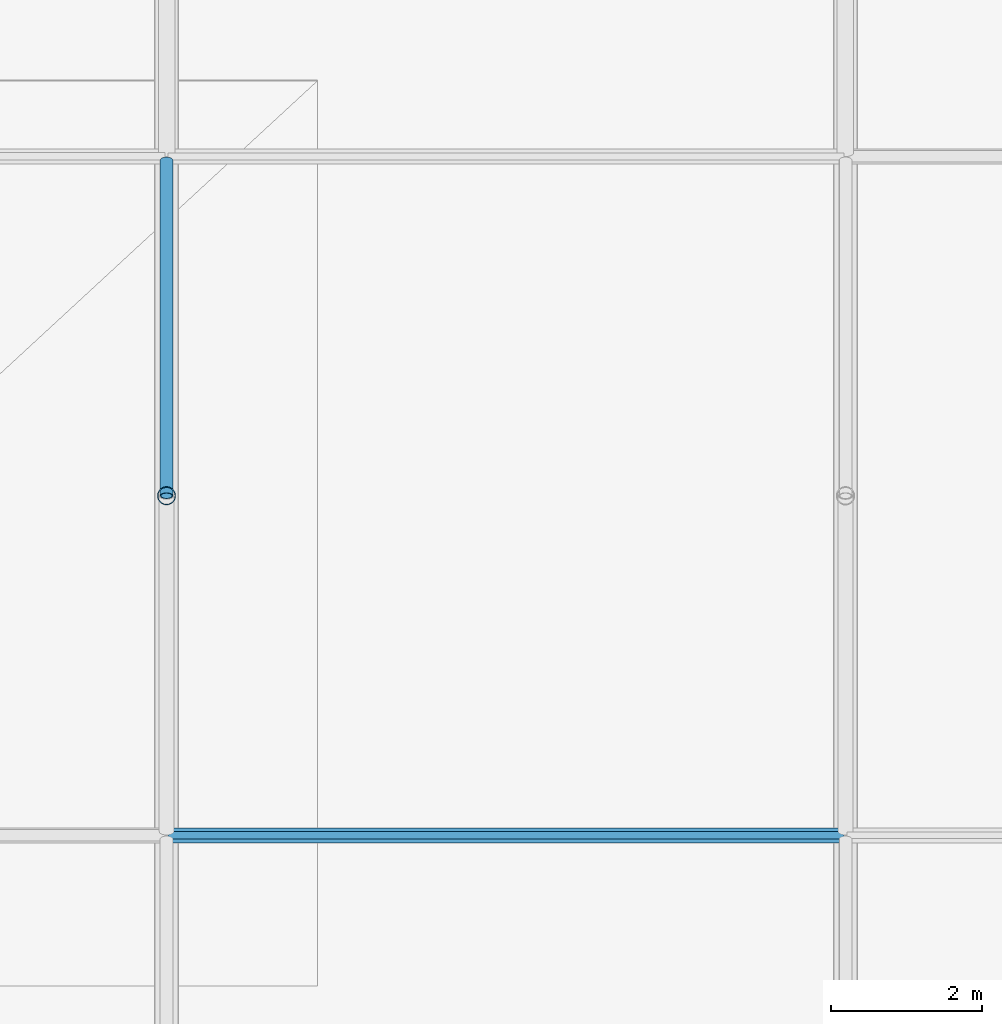
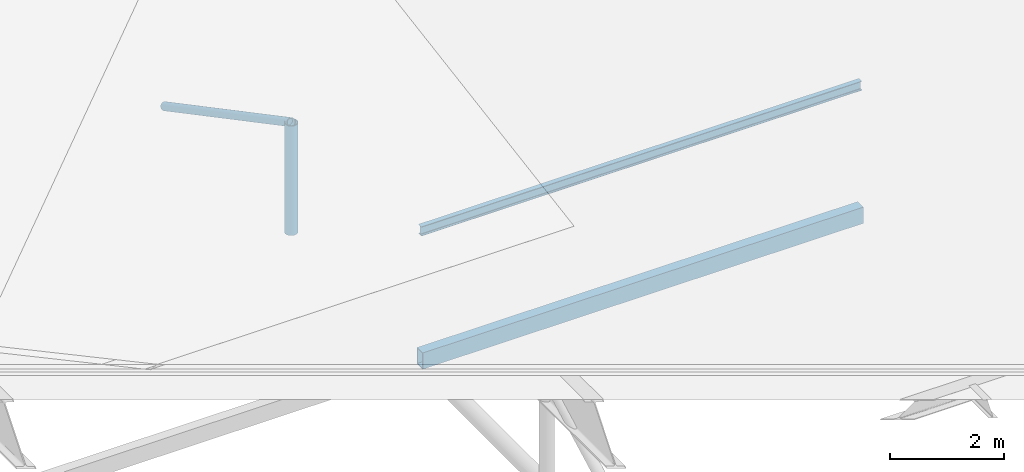
# One storey, part 48 of 196: 4 members.
"""IFC4 building model written with IfcOpenShell, lengths in metres."""

from ifc_helpers import new_model, si_unit, direction, frame, origin, origin_2d, place, context, subcontext, project, spatial, hollow_rectangle, hollow_circle, i_section, extrude, material, material_profile, profile_set, type_object, element, save


model = new_model("IFC4")

# Units and contexts
model_context = context("Model", 3, precision=1e-05, world=origin(), true_north=direction((0.0, 1.0)))
body_context = subcontext(model_context, "Body", "Model", "MODEL_VIEW")
ifc_project = project(units=[si_unit("LENGTHUNIT", "METRE"), si_unit("AREAUNIT", "SQUARE_METRE"), si_unit("VOLUMEUNIT", "CUBIC_METRE"), si_unit("PLANEANGLEUNIT", "RADIAN"), si_unit("MASSUNIT", "GRAM", prefix="KILO")], contexts=[model_context])

# Site, building, storey
site_placement = place(None, origin())
site = spatial("IfcSite", under=ifc_project, at=site_placement, CompositionType="ELEMENT")
building_placement = place(site_placement, origin())
building = spatial("IfcBuilding", under=site, at=building_placement, Name="Barlavento Convention Centre", CompositionType="ELEMENT")
storey_placement = place(building_placement, frame((0.0, 0.0, 18.0)))
storey = spatial("IfcBuildingStorey", under=building, at=storey_placement, Name="L03", CompositionType="ELEMENT", Elevation=18.0)

# Members
ifc_material = material(Name="Steel S355", Category="steel")
ifc_material_profile_1 = material_profile(ifc_material, hollow_rectangle(XDim=0.199951171875, YDim=0.35009765625, WallThickness=0.012451171875, at=origin_2d()), Name="RHS 350x200x12.5")
ifc_profile_set_1 = profile_set([ifc_material_profile_1], Name="Steel S355")
member_type_1 = type_object("IfcMemberType", Name="STR-MEM-COL-RHS350", PredefinedType="COLLAR", material=ifc_profile_set_1)
member_1_placement = place(storey_placement, frame((27.02001953125, 72.0, -3.199951171875), z_axis=(1.0, 0.0, 0.0), x_axis=(0.0, 1.0, 0.0)))
element("IfcMember", 1, at=member_1_placement, inside=storey, type_object=member_type_1, Name="Exhibition space frame transverse chord", PredefinedType="COLLAR", context=body_context, shape_type="SweptSolid", body=[
    extrude(hollow_rectangle(XDim=0.199951171875, YDim=0.35009765625, WallThickness=0.012451171875, at=origin_2d()), origin(), (0.0, 0.0, 1.0), 8.9599609375),
])
ifc_material_profile_2 = material_profile(ifc_material, hollow_circle(Radius=0.084228515625, WallThickness=0.010009765625, at=origin_2d()), Name="CHS 168.3x10.0")
ifc_profile_set_2 = profile_set([ifc_material_profile_2], Name="Steel S355")
member_type_2 = type_object("IfcMemberType", Name="STR-MEM-DIAG-CHS168", PredefinedType="POST", material=ifc_profile_set_2)
member_2_placement = place(storey_placement, frame((27.0, 76.5, -0.844970703125), z_axis=(0.0, 0.883859857229, -0.467751806816), x_axis=(-1.0, 0.0, 0.0)))
element("IfcMember", 2, at=member_2_placement, inside=storey, type_object=member_type_2, Name="Exhibition space frame web diagonal", PredefinedType="POST", context=body_context, shape_type="SweptSolid", body=[
    extrude(hollow_circle(Radius=0.084228515625, WallThickness=0.010009765625, at=origin_2d()), origin(), (0.0, 0.0, 1.0), 5.03466796875),
])
ifc_material_profile_3 = material_profile(ifc_material, i_section(OverallWidth=0.10009765625, OverallDepth=0.199951171875, WebThickness=0.005615234375, FlangeThickness=0.008544921875, FilletRadius=0.011962890625, at=origin_2d()), Name="IPE 200")
ifc_profile_set_3 = profile_set([ifc_material_profile_3], Name="Steel S355")
member_type_3 = type_object("IfcMemberType", Name="STR-MEM-PUR-IPE200", PredefinedType="PURLIN", material=ifc_profile_set_3)
member_3_placement = place(storey_placement, frame((27.02001953125, 72.0, -0.445068359375), z_axis=(1.0, 0.0, 0.0), x_axis=(0.0, 1.0, 0.0)))
element("IfcMember", 3, at=member_3_placement, inside=storey, type_object=member_type_3, Name="Exhibition roof purlin", PredefinedType="PURLIN", context=body_context, shape_type="SweptSolid", body=[
    extrude(i_section(OverallWidth=0.10009765625, OverallDepth=0.199951171875, WebThickness=0.005615234375, FlangeThickness=0.008544921875, FilletRadius=0.011962890625, at=origin_2d()), origin(), (0.0, 0.0, 1.0), 8.9599609375),
])
ifc_material_profile_4 = material_profile(ifc_material, hollow_circle(Radius=0.122314453125, WallThickness=0.012451171875, at=origin_2d()), Name="CHS 244.5x12.5")
ifc_profile_set_4 = profile_set([ifc_material_profile_4], Name="Steel S355")
member_type_4 = type_object("IfcMemberType", Name="STR-MEM-STRUT-CHS244", PredefinedType="STRUT", material=ifc_profile_set_4)
member_4_placement = place(storey_placement, frame((27.0, 76.5, -3.199951171875), z_axis=(0.0, 0.0, 1.0), x_axis=(1.0, 0.0, 0.0)))
element("IfcMember", 4, at=member_4_placement, inside=storey, type_object=member_type_4, Name="Exhibition space frame vertical strut", PredefinedType="STRUT", context=body_context, shape_type="SweptSolid", body=[
    extrude(hollow_circle(Radius=0.122314453125, WallThickness=0.012451171875, at=origin_2d()), origin(), (0.0, 0.0, 1.0), 2.35498046875),
])

save(model, "model.ifc")
